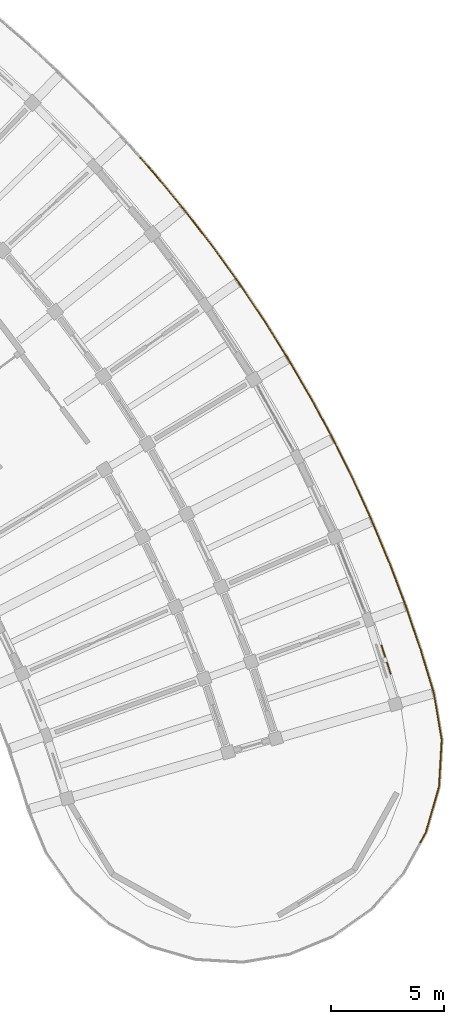
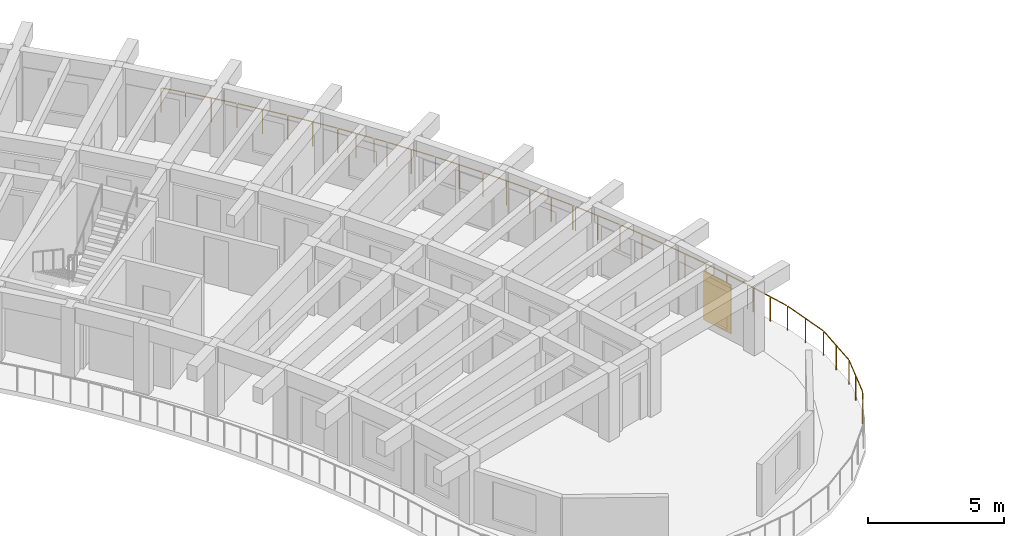
# One storey, part 94 of 96: 4 railings, 1 shading device.
"""IFC4 building model written with IfcOpenShell, lengths in metres."""

from ifc_helpers import new_model, si_unit, direction, frame, origin, origin_2d, place, context, subcontext, project, spatial, rectangle, circle, extrude, material, layer, layer_set, type_object, element, save


model = new_model("IFC4")

# Units and contexts
model_context = context("Model", 3, precision=1e-05, world=origin(), true_north=direction((0.0, 1.0)))
body_context = subcontext(model_context, "Body", "Model", "MODEL_VIEW")
ifc_project = project(units=[si_unit("LENGTHUNIT", "METRE"), si_unit("AREAUNIT", "SQUARE_METRE"), si_unit("VOLUMEUNIT", "CUBIC_METRE"), si_unit("PLANEANGLEUNIT", "RADIAN"), si_unit("MASSUNIT", "GRAM", prefix="KILO")], contexts=[model_context])

# Site, building, storey
site_placement = place(None, origin())
site = spatial("IfcSite", under=ifc_project, at=site_placement, CompositionType="ELEMENT")
building_placement = place(site_placement, origin())
building = spatial("IfcBuilding", under=site, at=building_placement, Name="Tanwirah Colonnade Gardens", CompositionType="ELEMENT")
storey_placement = place(building_placement, frame((0.0, 0.0, 12.199951171875)))
storey = spatial("IfcBuildingStorey", under=building, at=storey_placement, Name="L03", CompositionType="ELEMENT", Elevation=12.199951171875)

# Railings
ifc_material_1 = material(Name="Precast concrete C40/50", Category="concrete")
railing_type = type_object("IfcRailingType", Name="BAL-EXT112", PredefinedType="BALUSTRADE", material=ifc_material_1)
railing_1_placement = place(storey_placement, frame((166.9609375, 100.77978515625, 0.0)))
element("IfcRailing", 1, at=railing_1_placement, inside=storey, type_object=railing_type, Name="Block B L03 Balcony Ribbon Balustrade 16", PredefinedType="BALUSTRADE", context=body_context, shape_type="SweptSolid", body=[
    extrude(circle(Radius=0.02392578125, at=origin_2d()), frame((0.020751953125, -0.0234375, 1.09619140625), z_axis=(0.662540558748, -0.74902603961, 0.0), x_axis=(0.74902603961, 0.662540558748, 0.0)), (0.0, 0.0, 1.0), 0.885986328125),
    extrude(circle(Radius=0.02392578125, at=origin_2d()), frame((0.6484375, -0.734619140625, 1.09619140625), z_axis=(0.637555355491, -0.770404548717, 0.0), x_axis=(0.770404548717, 0.637555355491, 0.0)), (0.0, 0.0, 1.0), 1.958984375),
    extrude(circle(Radius=0.02392578125, at=origin_2d()), frame((1.936279296875, -2.29248046875, 1.09619140625), z_axis=(0.611856467608, -0.790968812942, 0.0), x_axis=(0.790968812942, 0.611856467608, 0.0)), (0.0, 0.0, 1.0), 1.958984375),
    extrude(circle(Radius=0.02392578125, at=origin_2d()), frame((3.17236328125, -3.89208984375, 1.09619140625), z_axis=(0.585468507287, -0.810695150457, 0.0), x_axis=(0.810695150457, 0.585468507287, 0.0)), (0.0, 0.0, 1.0), 1.958984375),
    extrude(circle(Radius=0.02392578125, at=origin_2d()), frame((4.35498046875, -5.531494140625, 1.09619140625), z_axis=(0.558332900228, -0.829617003516, 0.0), x_axis=(0.829617003516, 0.558332900228, 0.0)), (0.0, 0.0, 1.0), 1.424072265625),
    extrude(circle(Radius=0.02099609375, at=origin_2d()), origin(), (0.0, 0.0, 1.0), 1.069091796875),
    extrude(circle(Radius=0.02099609375, at=origin_2d()), frame((0.62841796875, -0.71044921875, 0.0)), (0.0, 0.0, 1.0), 1.069091796875),
    extrude(circle(Radius=0.02099609375, at=origin_2d()), frame((1.27294921875, -1.4892578125, 0.0)), (0.0, 0.0, 1.0), 1.069091796875),
    extrude(circle(Radius=0.02099609375, at=origin_2d()), frame((1.917236328125, -2.267822265625, 0.0)), (0.0, 0.0, 1.0), 1.069091796875),
    extrude(circle(Radius=0.02099609375, at=origin_2d()), frame((2.53564453125, -3.0673828125, 0.0)), (0.0, 0.0, 1.0), 1.069091796875),
    extrude(circle(Radius=0.02099609375, at=origin_2d()), frame((3.154052734375, -3.86669921875, 0.0)), (0.0, 0.0, 1.0), 1.069091796875),
    extrude(circle(Radius=0.02099609375, at=origin_2d()), frame((3.745849609375, -4.68603515625, 0.0)), (0.0, 0.0, 1.0), 1.069091796875),
    extrude(circle(Radius=0.02099609375, at=origin_2d()), frame((4.337646484375, -5.505615234375, 0.0)), (0.0, 0.0, 1.0), 1.069091796875),
    extrude(circle(Radius=0.02099609375, at=origin_2d()), frame((4.752685546875, -6.122314453125, 0.0)), (0.0, 0.0, 1.0), 1.069091796875),
    extrude(circle(Radius=0.02099609375, at=origin_2d()), frame((5.167724609375, -6.739013671875, 0.0)), (0.0, 0.0, 1.0), 1.069091796875),
])
railing_2_placement = place(storey_placement, frame((172.128662109375, 94.040771484375, 0.0)))
element("IfcRailing", 2, at=railing_2_placement, inside=storey, type_object=railing_type, Name="Block B L03 Balcony Ribbon Balustrade 17", PredefinedType="BALUSTRADE", context=body_context, shape_type="SweptSolid", body=[
    extrude(circle(Radius=0.02392578125, at=origin_2d()), frame((0.017578125, -0.02587890625, 1.09619140625), z_axis=(0.558382411213, -0.829583680437, 0.0), x_axis=(0.829583680437, 0.558382411213, 0.0)), (0.0, 0.0, 1.0), 0.47216796875),
    extrude(circle(Radius=0.02392578125, at=origin_2d()), frame((0.315185546875, -0.47021484375, 1.09619140625), z_axis=(0.530812919598, -0.847489023167, 0.0), x_axis=(0.847489023167, 0.530812919598, 0.0)), (0.0, 0.0, 1.0), 1.958984375),
    extrude(circle(Radius=0.02392578125, at=origin_2d()), frame((1.38720703125, -2.183837890625, 1.09619140625), z_axis=(0.502421024862, -0.864623105045, 0.0), x_axis=(0.864623105045, 0.502421024862, 0.0)), (0.0, 0.0, 1.0), 1.958984375),
    extrude(circle(Radius=0.02392578125, at=origin_2d()), frame((2.402099609375, -3.93212890625, 1.09619140625), z_axis=(0.473826102441, -0.88061843306, 0.0), x_axis=(0.88061843306, 0.473826102441, 0.0)), (0.0, 0.0, 1.0), 1.958740234375),
    extrude(circle(Radius=0.02392578125, at=origin_2d()), frame((3.35888671875, -5.712646484375, 1.09619140625), z_axis=(0.444437722231, -0.895809751598, 0.0), x_axis=(0.895809751598, 0.444437722231, 0.0)), (0.0, 0.0, 1.0), 1.838623046875),
    extrude(circle(Radius=0.02099609375, at=origin_2d()), origin(), (0.0, 0.0, 1.0), 1.069091796875),
    extrude(circle(Radius=0.02099609375, at=origin_2d()), frame((0.298583984375, -0.443603515625, 0.0)), (0.0, 0.0, 1.0), 1.069091796875),
    extrude(circle(Radius=0.02099609375, at=origin_2d()), frame((0.8349609375, -1.30029296875, 0.0)), (0.0, 0.0, 1.0), 1.069091796875),
    extrude(circle(Radius=0.02099609375, at=origin_2d()), frame((1.37158203125, -2.15673828125, 0.0)), (0.0, 0.0, 1.0), 1.069091796875),
    extrude(circle(Radius=0.02099609375, at=origin_2d()), frame((1.87939453125, -3.03076171875, 0.0)), (0.0, 0.0, 1.0), 1.069091796875),
    extrude(circle(Radius=0.02099609375, at=origin_2d()), frame((2.38720703125, -3.904541015625, 0.0)), (0.0, 0.0, 1.0), 1.069091796875),
    extrude(circle(Radius=0.02099609375, at=origin_2d()), frame((2.8662109375, -4.79443359375, 0.0)), (0.0, 0.0, 1.0), 1.069091796875),
    extrude(circle(Radius=0.02099609375, at=origin_2d()), frame((3.344970703125, -5.6845703125, 0.0)), (0.0, 0.0, 1.0), 1.069091796875),
    extrude(circle(Radius=0.02099609375, at=origin_2d()), frame((3.767578125, -6.5361328125, 0.0)), (0.0, 0.0, 1.0), 1.069091796875),
    extrude(circle(Radius=0.02099609375, at=origin_2d()), frame((4.18994140625, -7.3876953125, 0.0)), (0.0, 0.0, 1.0), 1.069091796875),
])
railing_3_placement = place(storey_placement, frame((176.318603515625, 86.653076171875, 0.0)))
element("IfcRailing", 3, at=railing_3_placement, inside=storey, type_object=railing_type, Name="Block B L03 Balcony Ribbon Balustrade 18", PredefinedType="BALUSTRADE", context=body_context, shape_type="SweptSolid", body=[
    extrude(circle(Radius=0.02392578125, at=origin_2d()), frame((0.013916015625, -0.028076171875, 1.09619140625), z_axis=(0.443967059849, -0.896043107093, 0.0), x_axis=(0.896043107093, 0.443967059849, 0.0)), (0.0, 0.0, 1.0), 0.057861328125),
    extrude(circle(Radius=0.02392578125, at=origin_2d()), frame((0.06640625, -0.136474609375, 1.09619140625), z_axis=(0.414749084938, -0.909935820013, 0.0), x_axis=(0.909935820013, 0.414749084938, 0.0)), (0.0, 0.0, 1.0), 1.958984375),
    extrude(circle(Radius=0.02392578125, at=origin_2d()), frame((0.90380859375, -1.97607421875, 1.09619140625), z_axis=(0.384409566544, -0.92316265368, 0.0), x_axis=(0.92316265368, 0.384409566544, 0.0)), (0.0, 0.0, 1.0), 1.958984375),
    extrude(circle(Radius=0.02392578125, at=origin_2d()), frame((1.679931640625, -3.8427734375, 1.09619140625), z_axis=(0.353874964852, -0.935292739869, 0.0), x_axis=(0.935292739869, 0.353874964852, 0.0)), (0.0, 0.0, 1.0), 1.958984375),
    extrude(circle(Radius=0.02392578125, at=origin_2d()), frame((2.394287109375, -5.733642578125, 1.09619140625), z_axis=(0.322850987486, -0.946449808431, 0.0), x_axis=(0.946449808431, 0.322850987486, 0.0)), (0.0, 0.0, 1.0), 1.958740234375),
    extrude(circle(Radius=0.02392578125, at=origin_2d()), frame((3.0458984375, -7.647216796875, 1.09619140625), z_axis=(0.290930071213, -0.956744319902, 0.0), x_axis=(0.956744319902, 0.290930071213, 0.0)), (0.0, 0.0, 1.0), 0.231201171875),
    extrude(circle(Radius=0.02099609375, at=origin_2d()), origin(), (0.0, 0.0, 1.0), 1.069091796875),
    extrude(circle(Radius=0.02099609375, at=origin_2d()), frame((0.053466796875, -0.10791015625, 0.0)), (0.0, 0.0, 1.0), 1.069091796875),
    extrude(circle(Radius=0.02099609375, at=origin_2d()), frame((0.47265625, -1.027587890625, 0.0)), (0.0, 0.0, 1.0), 1.069091796875),
    extrude(circle(Radius=0.02099609375, at=origin_2d()), frame((0.891845703125, -1.947265625, 0.0)), (0.0, 0.0, 1.0), 1.069091796875),
    extrude(circle(Radius=0.02099609375, at=origin_2d()), frame((1.2802734375, -2.88037109375, 0.0)), (0.0, 0.0, 1.0), 1.069091796875),
    extrude(circle(Radius=0.02099609375, at=origin_2d()), frame((1.6689453125, -3.8134765625, 0.0)), (0.0, 0.0, 1.0), 1.069091796875),
    extrude(circle(Radius=0.02099609375, at=origin_2d()), frame((2.026611328125, -4.7587890625, 0.0)), (0.0, 0.0, 1.0), 1.069091796875),
    extrude(circle(Radius=0.02099609375, at=origin_2d()), frame((2.38427734375, -5.7041015625, 0.0)), (0.0, 0.0, 1.0), 1.069091796875),
    extrude(circle(Radius=0.02099609375, at=origin_2d()), frame((2.71044921875, -6.66064453125, 0.0)), (0.0, 0.0, 1.0), 1.069091796875),
    extrude(circle(Radius=0.02099609375, at=origin_2d()), frame((3.036865234375, -7.6171875, 0.0)), (0.0, 0.0, 1.0), 1.069091796875),
    extrude(circle(Radius=0.02099609375, at=origin_2d()), frame((3.122314453125, -7.898193359375, 0.0)), (0.0, 0.0, 1.0), 1.069091796875),
])
railing_4_placement = place(storey_placement, frame((179.44091796875, 78.7548828125, 0.0)))
element("IfcRailing", 4, at=railing_4_placement, inside=storey, type_object=railing_type, Name="Block B L03 Balcony Ribbon Balustrade 19", PredefinedType="BALUSTRADE", context=body_context, shape_type="SweptSolid", body=[
    extrude(circle(Radius=0.02392578125, at=origin_2d()), frame((0.009033203125, -0.02978515625, 1.09619140625), z_axis=(0.29143772277, -0.956589804329, 0.0), x_axis=(0.956589804329, 0.29143772277, 0.0)), (0.0, 0.0, 1.0), 1.661376953125),
    extrude(circle(Radius=0.02392578125, at=origin_2d()), frame((0.507568359375, -1.679931640625, 1.09619140625), z_axis=(0.166292387508, -0.986076488847, 0.0), x_axis=(0.986076488847, 0.166292387508, 0.0)), (0.0, 0.0, 1.0), 2.028076171875),
    extrude(circle(Radius=0.02392578125, at=origin_2d()), frame((0.848388671875, -3.741943359375, 1.09619140625), z_axis=(-0.057322977065, -0.998355686266, 0.0), x_axis=(0.998355686266, -0.057322977065, 0.0)), (0.0, 0.0, 1.0), 2.0244140625),
    extrude(circle(Radius=0.02392578125, at=origin_2d()), frame((0.7216796875, -5.82421875, 1.09619140625), z_axis=(-0.277964335026, -0.960591395159, 0.0), x_axis=(0.960591395159, -0.277964335026, 0.0)), (0.0, 0.0, 1.0), 2.0244140625),
    extrude(circle(Radius=0.02392578125, at=origin_2d()), frame((0.13525390625, -7.826171875, 1.09619140625), z_axis=(-0.48479192052, -0.874629518024, 0.0), x_axis=(0.874629518024, -0.48479192052, 0.0)), (0.0, 0.0, 1.0), 0.44921875),
    extrude(circle(Radius=0.02099609375, at=origin_2d()), origin(), (0.0, 0.0, 1.0), 1.069091796875),
    extrude(circle(Radius=0.02099609375, at=origin_2d()), frame((0.251220703125, -0.82470703125, 0.0)), (0.0, 0.0, 1.0), 1.069091796875),
    extrude(circle(Radius=0.02099609375, at=origin_2d()), frame((0.50244140625, -1.649169921875, 0.0)), (0.0, 0.0, 1.0), 1.069091796875),
    extrude(circle(Radius=0.02099609375, at=origin_2d()), frame((0.67626953125, -2.679931640625, 0.0)), (0.0, 0.0, 1.0), 1.069091796875),
    extrude(circle(Radius=0.02099609375, at=origin_2d()), frame((0.85009765625, -3.710693359375, 0.0)), (0.0, 0.0, 1.0), 1.069091796875),
    extrude(circle(Radius=0.02099609375, at=origin_2d()), frame((0.790283203125, -4.75244140625, 0.0)), (0.0, 0.0, 1.0), 1.069091796875),
    extrude(circle(Radius=0.02099609375, at=origin_2d()), frame((0.73046875, -5.794189453125, 0.0)), (0.0, 0.0, 1.0), 1.069091796875),
    extrude(circle(Radius=0.02099609375, at=origin_2d()), frame((0.4404296875, -6.79638671875, 0.0)), (0.0, 0.0, 1.0), 1.069091796875),
    extrude(circle(Radius=0.02099609375, at=origin_2d()), frame((0.150390625, -7.798828125, 0.0)), (0.0, 0.0, 1.0), 1.069091796875),
    extrude(circle(Radius=0.02099609375, at=origin_2d()), frame((-0.09765625, -8.246337890625, 0.0)), (0.0, 0.0, 1.0), 1.069091796875),
])

# Shading device
ifc_material_2 = material(Name="Perforated architectural bronze aluminium", Category="aluminium")
ifc_layer = layer(ifc_material_2, 0.044921875)
ifc_layer_set = layer_set([ifc_layer], Name="Perforated architectural bronze aluminium")
shading_device_type = type_object("IfcShadingDeviceType", Name="SHD-MSH1", PredefinedType="JALOUSIE", material=ifc_layer_set)
shading_device_placement = place(storey_placement, frame((177.831787109375, 78.588623046875, 0.0), z_axis=(0.0, 0.0, 1.0), x_axis=(-0.307171739363, 0.951654098156, 0.0)))
element("IfcShadingDevice", 5, at=shading_device_placement, inside=storey, type_object=shading_device_type, Name="Bronze mashrabiya solar screen B-L03-00", PredefinedType="JALOUSIE", context=body_context, shape_type="SweptSolid", body=[
    extrude(rectangle(XDim=1.35009765625, YDim=0.044921875, at=origin_2d()), origin(), (0.0, 0.0, 1.0), 2.199951171875),
])

save(model, "model.ifc")
